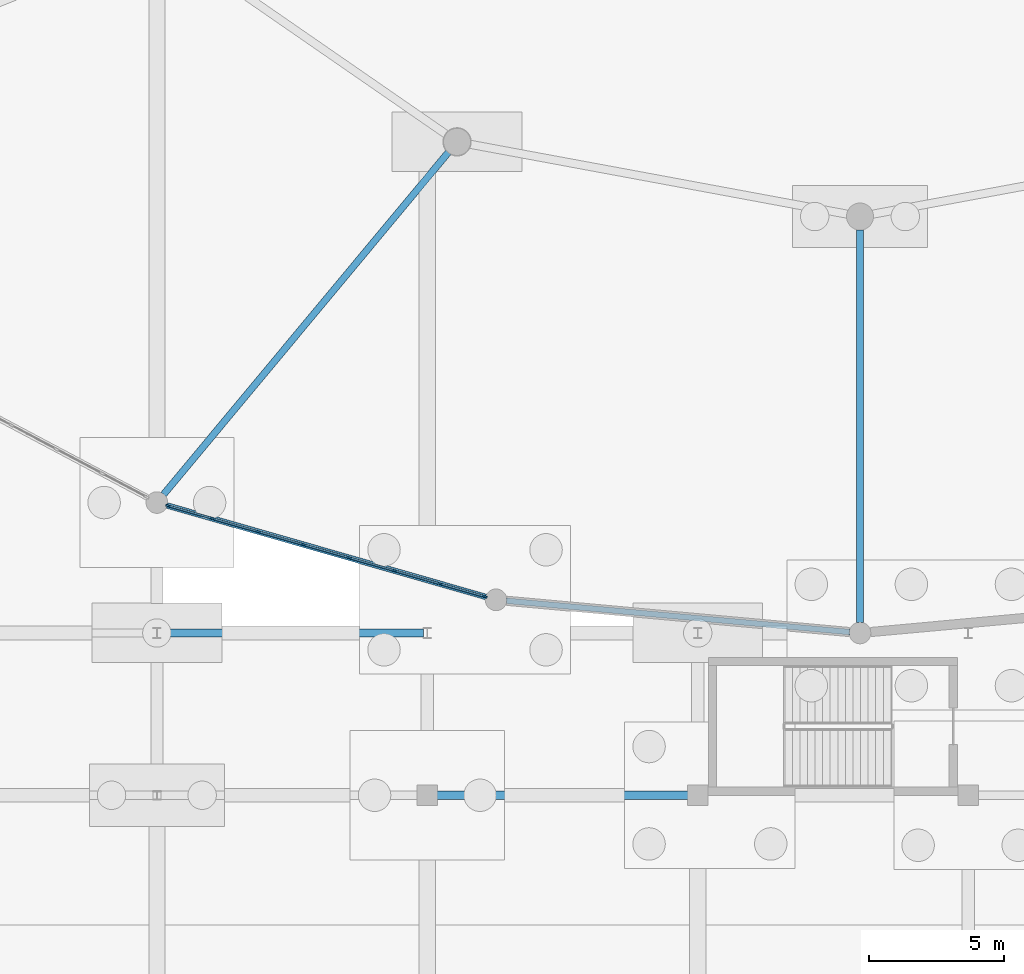
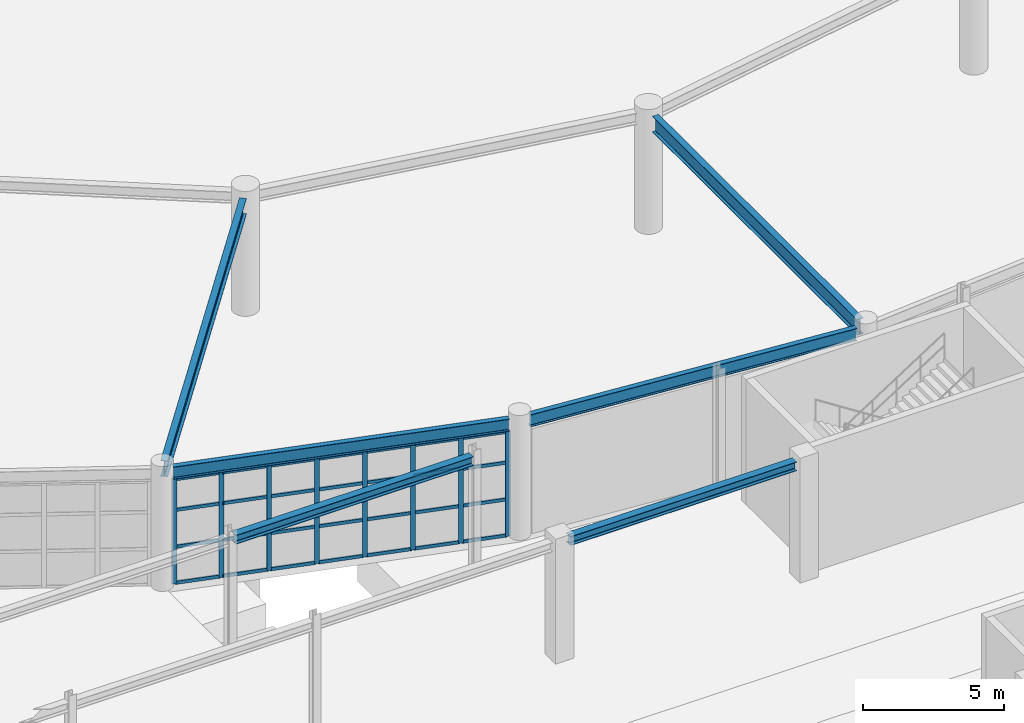
# One storey, part 32 of 99: 36 members, 6 beams, 1 element without a shape of its own.
"""IFC4 building model written with IfcOpenShell, lengths in metres."""

from ifc_helpers import new_model, si_unit, direction, frame, origin, origin_2d, place, context, subcontext, project, spatial, rectangle, i_section, extrude, material, layer, layer_set, material_profile, profile_set, type_object, element, aggregate, save


model = new_model("IFC4")

# Units and contexts
model_context = context("Model", 3, precision=1e-05, world=origin(), true_north=direction((0.0, 1.0)))
body_context = subcontext(model_context, "Body", "Model", "MODEL_VIEW")
ifc_project = project(units=[si_unit("LENGTHUNIT", "METRE"), si_unit("AREAUNIT", "SQUARE_METRE"), si_unit("VOLUMEUNIT", "CUBIC_METRE"), si_unit("PLANEANGLEUNIT", "RADIAN"), si_unit("MASSUNIT", "GRAM", prefix="KILO")], contexts=[model_context])

# Site, building, storey
site_placement = place(None, origin())
site = spatial("IfcSite", under=ifc_project, at=site_placement, CompositionType="ELEMENT")
building_placement = place(site_placement, origin())
building = spatial("IfcBuilding", under=site, at=building_placement, Name="Kivolera Central Railway Station", CompositionType="ELEMENT")
storey_placement = place(building_placement, origin())
storey = spatial("IfcBuildingStorey", under=building, at=storey_placement, Name="L00", CompositionType="ELEMENT", Elevation=0.0)

# Beams
ifc_material_1 = material(Name="Steel S355", Category="steel")
ifc_material_profile_1 = material_profile(ifc_material_1, i_section(OverallWidth=0.300048828125, OverallDepth=0.389892578125, WebThickness=0.010986328125, FlangeThickness=0.01904296875, FilletRadius=0.027099609375, at=origin_2d()), Name="HEA 400")
ifc_profile_set_1 = profile_set([ifc_material_profile_1], Name="Steel S355")
beam_type_1 = type_object("IfcBeamType", Name="BM-SHD-HEA400", PredefinedType="BEAM", material=ifc_profile_set_1)
beam_1_placement = place(storey_placement, frame((48.366943359375, 48.0, 4.919921875), z_axis=(1.0, 0.0, 0.0), x_axis=(0.0, 1.0, 0.0)))
element("IfcBeam", 1, at=beam_1_placement, inside=storey, type_object=beam_type_1, Name="Train Shed Longitudinal Tie Beam D:5-6", PredefinedType="BEAM", context=body_context, shape_type="SweptSolid", body=[
    extrude(i_section(OverallWidth=0.300048828125, OverallDepth=0.389892578125, WebThickness=0.010986328125, FlangeThickness=0.01904296875, FilletRadius=0.027099609375, at=origin_2d()), origin(), (0.0, 0.0, 1.0), 9.26611328125),
])
beam_2_placement = place(storey_placement, frame((38.136962890625, 54.0, 4.919921875), z_axis=(1.0, 0.0, 0.0), x_axis=(0.0, 1.0, 0.0)))
element("IfcBeam", 2, at=beam_2_placement, inside=storey, type_object=beam_type_1, Name="Train Shed Longitudinal Tie Beam E:4-5", PredefinedType="BEAM", context=body_context, shape_type="SweptSolid", body=[
    extrude(i_section(OverallWidth=0.300048828125, OverallDepth=0.389892578125, WebThickness=0.010986328125, FlangeThickness=0.01904296875, FilletRadius=0.027099609375, at=origin_2d()), origin(), (0.0, 0.0, 1.0), 9.72607421875),
])
ifc_material_profile_2 = material_profile(ifc_material_1, i_section(OverallWidth=0.209228515625, OverallDepth=0.533203125, WebThickness=0.010009765625, FlangeThickness=0.015625, FilletRadius=0.0126953125, at=origin_2d()), Name="UB 533x210x92")
ifc_profile_set_2 = profile_set([ifc_material_profile_2], Name="Steel S355")
beam_type_2 = type_object("IfcBeamType", Name="BM-SHD-UB533", PredefinedType="BEAM", material=ifc_profile_set_2)
beam_3_placement = place(storey_placement, frame((38.375, 58.716064453125, 4.841064453125), z_axis=(0.961238780007, -0.275717260631, 0.0), x_axis=(0.275717260631, 0.961238780007, 0.0)))
element("IfcBeam", 3, at=beam_3_placement, inside=storey, type_object=beam_type_2, Name="L00 Oval Perimeter Ring Beam 17", PredefinedType="BEAM", context=body_context, shape_type="SweptSolid", body=[
    extrude(i_section(OverallWidth=0.209228515625, OverallDepth=0.533203125, WebThickness=0.010009765625, FlangeThickness=0.015625, FilletRadius=0.0126953125, at=origin_2d()), origin(), (0.0, 0.0, 1.0), 12.266357421875),
])
beam_4_placement = place(storey_placement, frame((50.928955078125, 55.19189453125, 4.841064453125), z_axis=(0.9958650324, -0.090845127787, 0.0), x_axis=(0.090845127787, 0.9958650324, 0.0)))
element("IfcBeam", 4, at=beam_4_placement, inside=storey, type_object=beam_type_2, Name="L00 Oval Perimeter Ring Beam 18", PredefinedType="BEAM", context=body_context, shape_type="SweptSolid", body=[
    extrude(i_section(OverallWidth=0.209228515625, OverallDepth=0.533203125, WebThickness=0.010009765625, FlangeThickness=0.015625, FilletRadius=0.0126953125, at=origin_2d()), origin(), (0.0, 0.0, 1.0), 12.73583984375),
])
ifc_material_profile_3 = material_profile(ifc_material_1, i_section(OverallWidth=0.253662109375, OverallDepth=0.68359375, WebThickness=0.012451171875, FlangeThickness=0.01904296875, FilletRadius=0.01513671875, at=origin_2d()), Name="UB 686x254x140")
ifc_profile_set_3 = profile_set([ifc_material_profile_3], Name="Steel S355")
beam_type_3 = type_object("IfcBeamType", Name="BM-SHD-UB686", PredefinedType="BEAM", material=ifc_profile_set_3)
beam_5_placement = place(storey_placement, frame((48.787109375, 71.782958984375, 4.76611328125), z_axis=(-0.639760063775, -0.768574694353, 0.0), x_axis=(0.768574694353, -0.639760063775, 0.0)))
element("IfcBeam", 5, at=beam_5_placement, inside=storey, type_object=beam_type_3, Name="L00 Oval Gallery Radial Girder 09", PredefinedType="BEAM", context=body_context, shape_type="SweptSolid", body=[
    extrude(i_section(OverallWidth=0.253662109375, OverallDepth=0.68359375, WebThickness=0.012451171875, FlangeThickness=0.01904296875, FilletRadius=0.01513671875, at=origin_2d()), origin(), (0.0, 0.0, 1.0), 16.471923828125),
])
beam_6_placement = place(storey_placement, frame((64.0, 68.909912109375, 4.76611328125), z_axis=(0.0, -1.0, 0.0), x_axis=(1.0, 0.0, 0.0)))
element("IfcBeam", 6, at=beam_6_placement, inside=storey, type_object=beam_type_3, Name="L00 Oval Gallery Radial Girder 10", PredefinedType="BEAM", context=body_context, shape_type="SweptSolid", body=[
    extrude(i_section(OverallWidth=0.253662109375, OverallDepth=0.68359375, WebThickness=0.012451171875, FlangeThickness=0.01904296875, FilletRadius=0.01513671875, at=origin_2d()), origin(), (0.0, 0.0, 1.0), 14.52001953125),
])

# Curtain wall, members
ifc_material_2 = material(Name="Anodised aluminium", Category="aluminium")
ifc_layer = layer(ifc_material_2, 0.179931640625, Name="Anodised aluminium")
ifc_layer_set = layer_set([ifc_layer], Name="Anodised aluminium")
curtain_wall_type = type_object("IfcCurtainWallType", Name="CW-SYS-16", PredefinedType="NOTDEFINED", material=ifc_layer_set)
curtain_wall_placement = place(storey_placement, origin())
curtain_wall = element("IfcCurtainWall", 7, at=curtain_wall_placement, inside=storey, type_object=curtain_wall_type, Name="L00 Curtain Wall CW-L00-OVL-16", PredefinedType="NOTDEFINED")
ifc_material_profile_4 = material_profile(ifc_material_2, rectangle(XDim=0.070068359375, YDim=0.179931640625, at=origin_2d()), Name="ALU MULL 70x180")
ifc_profile_set_4 = profile_set([ifc_material_profile_4], Name="Anodised aluminium")
member_type_1 = type_object("IfcMemberType", Name="CWM-MUL-1", PredefinedType="MULLION", material=ifc_profile_set_4)
member_1_placement = place(storey_placement, frame((50.122314453125, 55.3466796875, -0.0048828125), z_axis=(0.0, 0.0, 1.0), x_axis=(-0.27569168989, -0.961246114232, 0.0)))
member_1 = element("IfcMember", 8, at=member_1_placement, type_object=member_type_1, Name="CW-16 mullion 1", PredefinedType="MULLION", context=body_context, shape_type="SweptSolid", body=[
    extrude(rectangle(XDim=0.070068359375, YDim=0.179931640625, at=origin_2d()), origin(), (0.0, 0.0, 1.0), 4.554931640625),
])
member_2_placement = place(storey_placement, frame((48.474365234375, 55.8193359375, -0.0048828125), z_axis=(0.0, 0.0, 1.0), x_axis=(-0.27569168989, -0.961246114232, 0.0)))
member_2 = element("IfcMember", 9, at=member_2_placement, type_object=member_type_1, Name="CW-16 mullion 2", PredefinedType="MULLION", context=body_context, shape_type="SweptSolid", body=[
    extrude(rectangle(XDim=0.070068359375, YDim=0.179931640625, at=origin_2d()), origin(), (0.0, 0.0, 1.0), 4.554931640625),
])
member_3_placement = place(storey_placement, frame((46.79296875, 56.301513671875, -0.0048828125), z_axis=(0.0, 0.0, 1.0), x_axis=(-0.27569168989, -0.961246114232, 0.0)))
member_3 = element("IfcMember", 10, at=member_3_placement, type_object=member_type_1, Name="CW-16 mullion 3", PredefinedType="MULLION", context=body_context, shape_type="SweptSolid", body=[
    extrude(rectangle(XDim=0.070068359375, YDim=0.179931640625, at=origin_2d()), origin(), (0.0, 0.0, 1.0), 4.554931640625),
])
member_4_placement = place(storey_placement, frame((45.111328125, 56.783935546875, -0.0048828125), z_axis=(0.0, 0.0, 1.0), x_axis=(-0.27569168989, -0.961246114232, 0.0)))
member_4 = element("IfcMember", 11, at=member_4_placement, type_object=member_type_1, Name="CW-16 mullion 4", PredefinedType="MULLION", context=body_context, shape_type="SweptSolid", body=[
    extrude(rectangle(XDim=0.070068359375, YDim=0.179931640625, at=origin_2d()), origin(), (0.0, 0.0, 1.0), 4.554931640625),
])
member_5_placement = place(storey_placement, frame((43.4296875, 57.26611328125, -0.0048828125), z_axis=(0.0, 0.0, 1.0), x_axis=(-0.27569168989, -0.961246114232, 0.0)))
member_5 = element("IfcMember", 12, at=member_5_placement, type_object=member_type_1, Name="CW-16 mullion 5", PredefinedType="MULLION", context=body_context, shape_type="SweptSolid", body=[
    extrude(rectangle(XDim=0.070068359375, YDim=0.179931640625, at=origin_2d()), origin(), (0.0, 0.0, 1.0), 4.554931640625),
])
member_6_placement = place(storey_placement, frame((41.748046875, 57.74853515625, -0.0048828125), z_axis=(0.0, 0.0, 1.0), x_axis=(-0.27569168989, -0.961246114232, 0.0)))
member_6 = element("IfcMember", 13, at=member_6_placement, type_object=member_type_1, Name="CW-16 mullion 6", PredefinedType="MULLION", context=body_context, shape_type="SweptSolid", body=[
    extrude(rectangle(XDim=0.070068359375, YDim=0.179931640625, at=origin_2d()), origin(), (0.0, 0.0, 1.0), 4.554931640625),
])
member_7_placement = place(storey_placement, frame((40.066650390625, 58.230712890625, -0.0048828125), z_axis=(0.0, 0.0, 1.0), x_axis=(-0.27569168989, -0.961246114232, 0.0)))
member_7 = element("IfcMember", 14, at=member_7_placement, type_object=member_type_1, Name="CW-16 mullion 7", PredefinedType="MULLION", context=body_context, shape_type="SweptSolid", body=[
    extrude(rectangle(XDim=0.070068359375, YDim=0.179931640625, at=origin_2d()), origin(), (0.0, 0.0, 1.0), 4.554931640625),
])
member_8_placement = place(storey_placement, frame((38.418701171875, 58.703369140625, -0.0048828125), z_axis=(0.0, 0.0, 1.0), x_axis=(-0.27569168989, -0.961246114232, 0.0)))
member_8 = element("IfcMember", 15, at=member_8_placement, type_object=member_type_1, Name="CW-16 mullion 8", PredefinedType="MULLION", context=body_context, shape_type="SweptSolid", body=[
    extrude(rectangle(XDim=0.070068359375, YDim=0.179931640625, at=origin_2d()), origin(), (0.0, 0.0, 1.0), 4.554931640625),
])
ifc_material_profile_5 = material_profile(ifc_material_2, rectangle(XDim=0.070068359375, YDim=0.139892578125, at=origin_2d()), Name="ALU TRAN 70x140")
ifc_profile_set_5 = profile_set([ifc_material_profile_5], Name="Anodised aluminium")
member_type_2 = type_object("IfcMemberType", Name="CWM-TRN-1", PredefinedType="USERDEFINED", material=ifc_profile_set_5)
member_9_placement = place(storey_placement, frame((50.088623046875, 55.356201171875, 0.034912109375), z_axis=(-0.961237680042, 0.275721095434, 0.0), x_axis=(-0.275721095434, -0.961237680042, 0.0)))
member_9 = element("IfcMember", 16, at=member_9_placement, type_object=member_type_2, Name="CW-16 transom 1.1", ObjectType="TRANSOM", PredefinedType="USERDEFINED", context=body_context, shape_type="SweptSolid", body=[
    extrude(rectangle(XDim=0.070068359375, YDim=0.139892578125, at=origin_2d()), origin(), (0.0, 0.0, 1.0), 1.644287109375),
])
member_10_placement = place(storey_placement, frame((50.088623046875, 55.356201171875, 1.592529296875), z_axis=(-0.961237680042, 0.275721095434, 0.0), x_axis=(-0.275721095434, -0.961237680042, 0.0)))
member_10 = element("IfcMember", 17, at=member_10_placement, type_object=member_type_2, Name="CW-16 transom 1.2", ObjectType="TRANSOM", PredefinedType="USERDEFINED", context=body_context, shape_type="SweptSolid", body=[
    extrude(rectangle(XDim=0.070068359375, YDim=0.139892578125, at=origin_2d()), origin(), (0.0, 0.0, 1.0), 1.644287109375),
])
member_11_placement = place(storey_placement, frame((50.088623046875, 55.356201171875, 3.18505859375), z_axis=(-0.961237680042, 0.275721095434, 0.0), x_axis=(-0.275721095434, -0.961237680042, 0.0)))
member_11 = element("IfcMember", 18, at=member_11_placement, type_object=member_type_2, Name="CW-16 transom 1.3", ObjectType="TRANSOM", PredefinedType="USERDEFINED", context=body_context, shape_type="SweptSolid", body=[
    extrude(rectangle(XDim=0.070068359375, YDim=0.139892578125, at=origin_2d()), origin(), (0.0, 0.0, 1.0), 1.644287109375),
])
member_12_placement = place(storey_placement, frame((50.088623046875, 55.356201171875, 4.514892578125), z_axis=(-0.961237680042, 0.275721095434, 0.0), x_axis=(-0.275721095434, -0.961237680042, 0.0)))
member_12 = element("IfcMember", 19, at=member_12_placement, type_object=member_type_2, Name="CW-16 transom 1.4", ObjectType="TRANSOM", PredefinedType="USERDEFINED", context=body_context, shape_type="SweptSolid", body=[
    extrude(rectangle(XDim=0.070068359375, YDim=0.139892578125, at=origin_2d()), origin(), (0.0, 0.0, 1.0), 1.644287109375),
])
member_13_placement = place(storey_placement, frame((48.440673828125, 55.828857421875, 0.034912109375), z_axis=(-0.961221645359, 0.275776990509, 0.0), x_axis=(-0.275776990509, -0.961221645359, 0.0)))
member_13 = element("IfcMember", 20, at=member_13_placement, type_object=member_type_2, Name="CW-16 transom 2.1", ObjectType="TRANSOM", PredefinedType="USERDEFINED", context=body_context, shape_type="SweptSolid", body=[
    extrude(rectangle(XDim=0.070068359375, YDim=0.139892578125, at=origin_2d()), origin(), (0.0, 0.0, 1.0), 1.679443359375),
])
member_14_placement = place(storey_placement, frame((48.440673828125, 55.828857421875, 1.592529296875), z_axis=(-0.961221645359, 0.275776990509, 0.0), x_axis=(-0.275776990509, -0.961221645359, 0.0)))
member_14 = element("IfcMember", 21, at=member_14_placement, type_object=member_type_2, Name="CW-16 transom 2.2", ObjectType="TRANSOM", PredefinedType="USERDEFINED", context=body_context, shape_type="SweptSolid", body=[
    extrude(rectangle(XDim=0.070068359375, YDim=0.139892578125, at=origin_2d()), origin(), (0.0, 0.0, 1.0), 1.679443359375),
])
member_15_placement = place(storey_placement, frame((48.440673828125, 55.828857421875, 3.18505859375), z_axis=(-0.961221645359, 0.275776990509, 0.0), x_axis=(-0.275776990509, -0.961221645359, 0.0)))
member_15 = element("IfcMember", 22, at=member_15_placement, type_object=member_type_2, Name="CW-16 transom 2.3", ObjectType="TRANSOM", PredefinedType="USERDEFINED", context=body_context, shape_type="SweptSolid", body=[
    extrude(rectangle(XDim=0.070068359375, YDim=0.139892578125, at=origin_2d()), origin(), (0.0, 0.0, 1.0), 1.679443359375),
])
member_16_placement = place(storey_placement, frame((48.440673828125, 55.828857421875, 4.514892578125), z_axis=(-0.961221645359, 0.275776990509, 0.0), x_axis=(-0.275776990509, -0.961221645359, 0.0)))
member_16 = element("IfcMember", 23, at=member_16_placement, type_object=member_type_2, Name="CW-16 transom 2.4", ObjectType="TRANSOM", PredefinedType="USERDEFINED", context=body_context, shape_type="SweptSolid", body=[
    extrude(rectangle(XDim=0.070068359375, YDim=0.139892578125, at=origin_2d()), origin(), (0.0, 0.0, 1.0), 1.679443359375),
])
member_17_placement = place(storey_placement, frame((46.75927734375, 56.311279296875, 0.034912109375), z_axis=(-0.961260174018, 0.27564266333, 0.0), x_axis=(-0.27564266333, -0.961260174018, 0.0)))
member_17 = element("IfcMember", 24, at=member_17_placement, type_object=member_type_2, Name="CW-16 transom 3.1", ObjectType="TRANSOM", PredefinedType="USERDEFINED", context=body_context, shape_type="SweptSolid", body=[
    extrude(rectangle(XDim=0.070068359375, YDim=0.139892578125, at=origin_2d()), origin(), (0.0, 0.0, 1.0), 1.67919921875),
])
member_18_placement = place(storey_placement, frame((46.75927734375, 56.311279296875, 1.592529296875), z_axis=(-0.961260174018, 0.27564266333, 0.0), x_axis=(-0.27564266333, -0.961260174018, 0.0)))
member_18 = element("IfcMember", 25, at=member_18_placement, type_object=member_type_2, Name="CW-16 transom 3.2", ObjectType="TRANSOM", PredefinedType="USERDEFINED", context=body_context, shape_type="SweptSolid", body=[
    extrude(rectangle(XDim=0.070068359375, YDim=0.139892578125, at=origin_2d()), origin(), (0.0, 0.0, 1.0), 1.67919921875),
])
member_19_placement = place(storey_placement, frame((46.75927734375, 56.311279296875, 3.18505859375), z_axis=(-0.961260174018, 0.27564266333, 0.0), x_axis=(-0.27564266333, -0.961260174018, 0.0)))
member_19 = element("IfcMember", 26, at=member_19_placement, type_object=member_type_2, Name="CW-16 transom 3.3", ObjectType="TRANSOM", PredefinedType="USERDEFINED", context=body_context, shape_type="SweptSolid", body=[
    extrude(rectangle(XDim=0.070068359375, YDim=0.139892578125, at=origin_2d()), origin(), (0.0, 0.0, 1.0), 1.67919921875),
])
member_20_placement = place(storey_placement, frame((46.75927734375, 56.311279296875, 4.514892578125), z_axis=(-0.961260174018, 0.27564266333, 0.0), x_axis=(-0.27564266333, -0.961260174018, 0.0)))
member_20 = element("IfcMember", 27, at=member_20_placement, type_object=member_type_2, Name="CW-16 transom 3.4", ObjectType="TRANSOM", PredefinedType="USERDEFINED", context=body_context, shape_type="SweptSolid", body=[
    extrude(rectangle(XDim=0.070068359375, YDim=0.139892578125, at=origin_2d()), origin(), (0.0, 0.0, 1.0), 1.67919921875),
])
member_21_placement = place(storey_placement, frame((45.07763671875, 56.79345703125, 0.034912109375), z_axis=(-0.961221645359, 0.275776990509, 0.0), x_axis=(-0.275776990509, -0.961221645359, 0.0)))
member_21 = element("IfcMember", 28, at=member_21_placement, type_object=member_type_2, Name="CW-16 transom 4.1", ObjectType="TRANSOM", PredefinedType="USERDEFINED", context=body_context, shape_type="SweptSolid", body=[
    extrude(rectangle(XDim=0.070068359375, YDim=0.139892578125, at=origin_2d()), origin(), (0.0, 0.0, 1.0), 1.679443359375),
])
member_22_placement = place(storey_placement, frame((45.07763671875, 56.79345703125, 1.592529296875), z_axis=(-0.961221645359, 0.275776990509, 0.0), x_axis=(-0.275776990509, -0.961221645359, 0.0)))
member_22 = element("IfcMember", 29, at=member_22_placement, type_object=member_type_2, Name="CW-16 transom 4.2", ObjectType="TRANSOM", PredefinedType="USERDEFINED", context=body_context, shape_type="SweptSolid", body=[
    extrude(rectangle(XDim=0.070068359375, YDim=0.139892578125, at=origin_2d()), origin(), (0.0, 0.0, 1.0), 1.679443359375),
])
member_23_placement = place(storey_placement, frame((45.07763671875, 56.79345703125, 3.18505859375), z_axis=(-0.961221645359, 0.275776990509, 0.0), x_axis=(-0.275776990509, -0.961221645359, 0.0)))
member_23 = element("IfcMember", 30, at=member_23_placement, type_object=member_type_2, Name="CW-16 transom 4.3", ObjectType="TRANSOM", PredefinedType="USERDEFINED", context=body_context, shape_type="SweptSolid", body=[
    extrude(rectangle(XDim=0.070068359375, YDim=0.139892578125, at=origin_2d()), origin(), (0.0, 0.0, 1.0), 1.679443359375),
])
member_24_placement = place(storey_placement, frame((45.07763671875, 56.79345703125, 4.514892578125), z_axis=(-0.961221645359, 0.275776990509, 0.0), x_axis=(-0.275776990509, -0.961221645359, 0.0)))
member_24 = element("IfcMember", 31, at=member_24_placement, type_object=member_type_2, Name="CW-16 transom 4.4", ObjectType="TRANSOM", PredefinedType="USERDEFINED", context=body_context, shape_type="SweptSolid", body=[
    extrude(rectangle(XDim=0.070068359375, YDim=0.139892578125, at=origin_2d()), origin(), (0.0, 0.0, 1.0), 1.679443359375),
])
member_25_placement = place(storey_placement, frame((43.39599609375, 57.27587890625, 0.034912109375), z_axis=(-0.961260174018, 0.27564266333, 0.0), x_axis=(-0.27564266333, -0.961260174018, 0.0)))
member_25 = element("IfcMember", 32, at=member_25_placement, type_object=member_type_2, Name="CW-16 transom 5.1", ObjectType="TRANSOM", PredefinedType="USERDEFINED", context=body_context, shape_type="SweptSolid", body=[
    extrude(rectangle(XDim=0.070068359375, YDim=0.139892578125, at=origin_2d()), origin(), (0.0, 0.0, 1.0), 1.67919921875),
])
member_26_placement = place(storey_placement, frame((43.39599609375, 57.27587890625, 1.592529296875), z_axis=(-0.961260174018, 0.27564266333, 0.0), x_axis=(-0.27564266333, -0.961260174018, 0.0)))
member_26 = element("IfcMember", 33, at=member_26_placement, type_object=member_type_2, Name="CW-16 transom 5.2", ObjectType="TRANSOM", PredefinedType="USERDEFINED", context=body_context, shape_type="SweptSolid", body=[
    extrude(rectangle(XDim=0.070068359375, YDim=0.139892578125, at=origin_2d()), origin(), (0.0, 0.0, 1.0), 1.67919921875),
])
member_27_placement = place(storey_placement, frame((43.39599609375, 57.27587890625, 3.18505859375), z_axis=(-0.961260174018, 0.27564266333, 0.0), x_axis=(-0.27564266333, -0.961260174018, 0.0)))
member_27 = element("IfcMember", 34, at=member_27_placement, type_object=member_type_2, Name="CW-16 transom 5.3", ObjectType="TRANSOM", PredefinedType="USERDEFINED", context=body_context, shape_type="SweptSolid", body=[
    extrude(rectangle(XDim=0.070068359375, YDim=0.139892578125, at=origin_2d()), origin(), (0.0, 0.0, 1.0), 1.67919921875),
])
member_28_placement = place(storey_placement, frame((43.39599609375, 57.27587890625, 4.514892578125), z_axis=(-0.961260174018, 0.27564266333, 0.0), x_axis=(-0.27564266333, -0.961260174018, 0.0)))
member_28 = element("IfcMember", 35, at=member_28_placement, type_object=member_type_2, Name="CW-16 transom 5.4", ObjectType="TRANSOM", PredefinedType="USERDEFINED", context=body_context, shape_type="SweptSolid", body=[
    extrude(rectangle(XDim=0.070068359375, YDim=0.139892578125, at=origin_2d()), origin(), (0.0, 0.0, 1.0), 1.67919921875),
])
member_29_placement = place(storey_placement, frame((41.714599609375, 57.758056640625, 0.034912109375), z_axis=(-0.961271217599, 0.275604147674, 0.0), x_axis=(-0.275604147674, -0.961271217599, 0.0)))
member_29 = element("IfcMember", 36, at=member_29_placement, type_object=member_type_2, Name="CW-16 transom 6.1", ObjectType="TRANSOM", PredefinedType="USERDEFINED", context=body_context, shape_type="SweptSolid", body=[
    extrude(rectangle(XDim=0.070068359375, YDim=0.139892578125, at=origin_2d()), origin(), (0.0, 0.0, 1.0), 1.679443359375),
])
member_30_placement = place(storey_placement, frame((41.714599609375, 57.758056640625, 1.592529296875), z_axis=(-0.961271217599, 0.275604147674, 0.0), x_axis=(-0.275604147674, -0.961271217599, 0.0)))
member_30 = element("IfcMember", 37, at=member_30_placement, type_object=member_type_2, Name="CW-16 transom 6.2", ObjectType="TRANSOM", PredefinedType="USERDEFINED", context=body_context, shape_type="SweptSolid", body=[
    extrude(rectangle(XDim=0.070068359375, YDim=0.139892578125, at=origin_2d()), origin(), (0.0, 0.0, 1.0), 1.679443359375),
])
member_31_placement = place(storey_placement, frame((41.714599609375, 57.758056640625, 3.18505859375), z_axis=(-0.961271217599, 0.275604147674, 0.0), x_axis=(-0.275604147674, -0.961271217599, 0.0)))
member_31 = element("IfcMember", 38, at=member_31_placement, type_object=member_type_2, Name="CW-16 transom 6.3", ObjectType="TRANSOM", PredefinedType="USERDEFINED", context=body_context, shape_type="SweptSolid", body=[
    extrude(rectangle(XDim=0.070068359375, YDim=0.139892578125, at=origin_2d()), origin(), (0.0, 0.0, 1.0), 1.679443359375),
])
member_32_placement = place(storey_placement, frame((41.714599609375, 57.758056640625, 4.514892578125), z_axis=(-0.961271217599, 0.275604147674, 0.0), x_axis=(-0.275604147674, -0.961271217599, 0.0)))
member_32 = element("IfcMember", 39, at=member_32_placement, type_object=member_type_2, Name="CW-16 transom 6.4", ObjectType="TRANSOM", PredefinedType="USERDEFINED", context=body_context, shape_type="SweptSolid", body=[
    extrude(rectangle(XDim=0.070068359375, YDim=0.139892578125, at=origin_2d()), origin(), (0.0, 0.0, 1.0), 1.679443359375),
])
member_33_placement = place(storey_placement, frame((40.032958984375, 58.240478515625, 0.034912109375), z_axis=(-0.961277023143, 0.275583897892, 0.0), x_axis=(-0.275583897892, -0.961277023143, 0.0)))
member_33 = element("IfcMember", 40, at=member_33_placement, type_object=member_type_2, Name="CW-16 transom 7.1", ObjectType="TRANSOM", PredefinedType="USERDEFINED", context=body_context, shape_type="SweptSolid", body=[
    extrude(rectangle(XDim=0.070068359375, YDim=0.139892578125, at=origin_2d()), origin(), (0.0, 0.0, 1.0), 1.644287109375),
])
member_34_placement = place(storey_placement, frame((40.032958984375, 58.240478515625, 1.592529296875), z_axis=(-0.961277023143, 0.275583897892, 0.0), x_axis=(-0.275583897892, -0.961277023143, 0.0)))
member_34 = element("IfcMember", 41, at=member_34_placement, type_object=member_type_2, Name="CW-16 transom 7.2", ObjectType="TRANSOM", PredefinedType="USERDEFINED", context=body_context, shape_type="SweptSolid", body=[
    extrude(rectangle(XDim=0.070068359375, YDim=0.139892578125, at=origin_2d()), origin(), (0.0, 0.0, 1.0), 1.644287109375),
])
member_35_placement = place(storey_placement, frame((40.032958984375, 58.240478515625, 3.18505859375), z_axis=(-0.961277023143, 0.275583897892, 0.0), x_axis=(-0.275583897892, -0.961277023143, 0.0)))
member_35 = element("IfcMember", 42, at=member_35_placement, type_object=member_type_2, Name="CW-16 transom 7.3", ObjectType="TRANSOM", PredefinedType="USERDEFINED", context=body_context, shape_type="SweptSolid", body=[
    extrude(rectangle(XDim=0.070068359375, YDim=0.139892578125, at=origin_2d()), origin(), (0.0, 0.0, 1.0), 1.644287109375),
])
member_36_placement = place(storey_placement, frame((40.032958984375, 58.240478515625, 4.514892578125), z_axis=(-0.961277023143, 0.275583897892, 0.0), x_axis=(-0.275583897892, -0.961277023143, 0.0)))
member_36 = element("IfcMember", 43, at=member_36_placement, type_object=member_type_2, Name="CW-16 transom 7.4", ObjectType="TRANSOM", PredefinedType="USERDEFINED", context=body_context, shape_type="SweptSolid", body=[
    extrude(rectangle(XDim=0.070068359375, YDim=0.139892578125, at=origin_2d()), origin(), (0.0, 0.0, 1.0), 1.644287109375),
])
aggregate(curtain_wall, [member_1, member_2, member_3, member_4, member_5, member_6, member_7, member_8, member_9, member_10, member_11, member_12, member_13, member_14, member_15, member_16, member_17, member_18, member_19, member_20, member_21, member_22, member_23, member_24, member_25, member_26, member_27, member_28, member_29, member_30, member_31, member_32, member_33, member_34, member_35, member_36])

save(model, "model.ifc")
